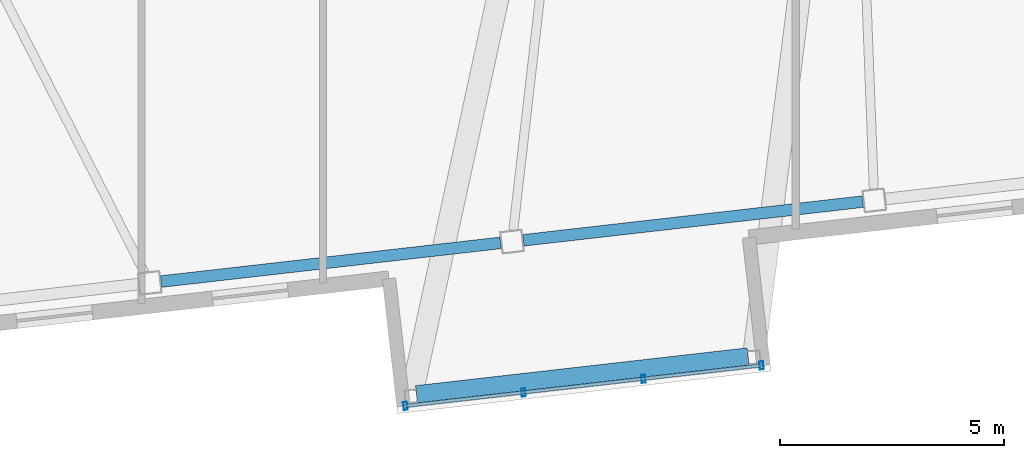
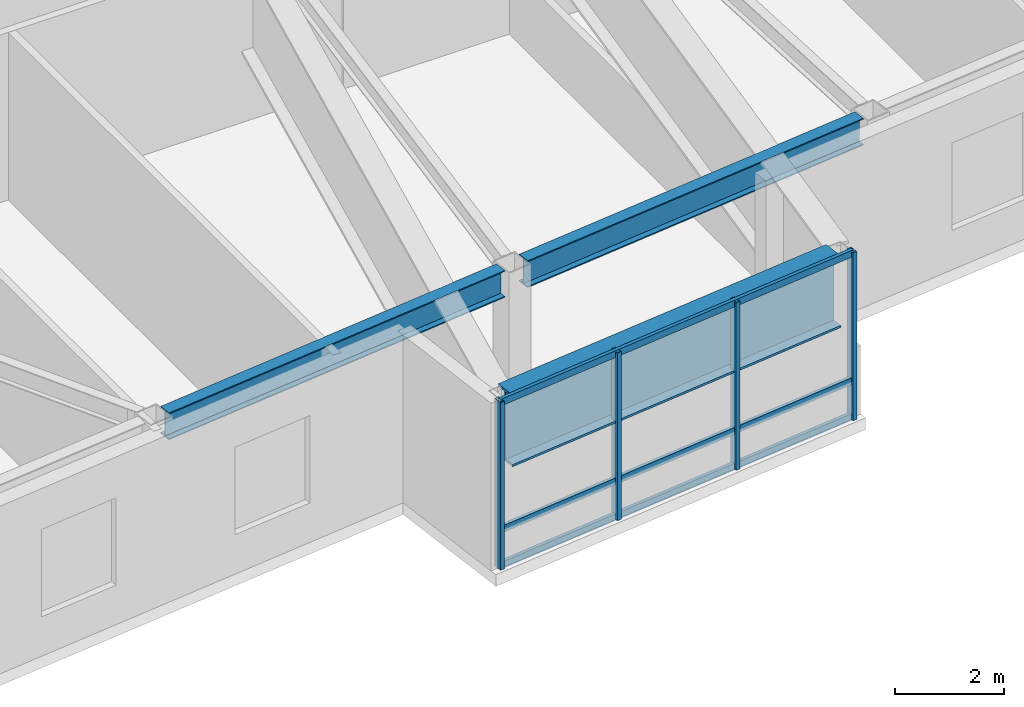
# One storey, part 5 of 19: 7 members, 3 beams, 1 element without a shape of its own.
"""IFC4 building model written with IfcOpenShell, lengths in metres."""

from ifc_helpers import new_model, si_unit, direction, frame, origin, origin_2d, place, context, subcontext, project, spatial, hollow_rectangle, i_section, extrude, material, layer, layer_set, material_profile, profile_set, type_object, element, aggregate, save


model = new_model("IFC4")

# Units and contexts
model_context = context("Model", 3, precision=1e-05, world=origin(), true_north=direction((0.0, 1.0)))
body_context = subcontext(model_context, "Body", "Model", "MODEL_VIEW")
ifc_project = project(units=[si_unit("LENGTHUNIT", "METRE"), si_unit("AREAUNIT", "SQUARE_METRE"), si_unit("VOLUMEUNIT", "CUBIC_METRE"), si_unit("PLANEANGLEUNIT", "RADIAN"), si_unit("MASSUNIT", "GRAM", prefix="KILO")], contexts=[model_context])

# Site, building, storey
site_placement = place(None, origin())
site = spatial("IfcSite", under=ifc_project, at=site_placement, CompositionType="ELEMENT")
building_placement = place(site_placement, origin())
building = spatial("IfcBuilding", under=site, at=building_placement, Name="Tavrogorsk Clinical Tower", CompositionType="ELEMENT")
storey_placement = place(building_placement, frame((0.0, 0.0, 218.199951171875)))
storey = spatial("IfcBuildingStorey", under=building, at=storey_placement, Name="L50", CompositionType="ELEMENT", Elevation=218.199951171875)

# Curtain wall, members
ifc_material_1 = material(Name="Anodised aluminium and triple IGU glazing", Category="aluminium")
ifc_layer = layer(ifc_material_1, 0.179931640625)
ifc_layer_set = layer_set([ifc_layer], Name="Anodised aluminium and triple IGU glazing")
curtain_wall_type = type_object("IfcCurtainWallType", Name="CW4_DayroomBox", PredefinedType="NOTDEFINED", material=ifc_layer_set)
curtain_wall_placement = place(storey_placement, origin())
curtain_wall = element("IfcCurtainWall", 1, at=curtain_wall_placement, inside=storey, type_object=curtain_wall_type, Name="L50 Curtain Wall CW-DRB-07-L50", PredefinedType="NOTDEFINED")
ifc_material_2 = material(Name="Anodised aluminium alloy AW-6060", Category="aluminium")
ifc_material_profile_1 = material_profile(ifc_material_2, hollow_rectangle(XDim=0.090087890625, YDim=0.179931640625, WallThickness=0.00634765625, at=origin_2d()), Name="RHS-180x90x6.3")
ifc_profile_set_1 = profile_set([ifc_material_profile_1], Name="Anodised aluminium alloy AW-6060")
member_type_1 = type_object("IfcMemberType", Name="CwMullion_180x90", PredefinedType="MULLION", material=ifc_profile_set_1)
member_1_placement = place(storey_placement, frame((-14.35400390625, -24.630859375, 0.0), z_axis=(0.0, 0.0, 1.0), x_axis=(0.993571856066, 0.113203210352, 0.0)))
member_1 = element("IfcMember", 2, at=member_1_placement, type_object=member_type_1, Name="CW-DRB-07-L50 Mullion 1", PredefinedType="MULLION", context=body_context, shape_type="SweptSolid", body=[
    extrude(hollow_rectangle(XDim=0.090087890625, YDim=0.179931640625, WallThickness=0.00634765625, at=origin_2d()), origin(), (0.0, 0.0, 1.0), 3.739990234375),
])
member_2_placement = place(storey_placement, frame((-11.716064453125, -24.330322265625, 0.0), z_axis=(0.0, 0.0, 1.0), x_axis=(0.993571856066, 0.113203210352, 0.0)))
member_2 = element("IfcMember", 3, at=member_2_placement, type_object=member_type_1, Name="CW-DRB-07-L50 Mullion 2", PredefinedType="MULLION", context=body_context, shape_type="SweptSolid", body=[
    extrude(hollow_rectangle(XDim=0.090087890625, YDim=0.179931640625, WallThickness=0.00634765625, at=origin_2d()), origin(), (0.0, 0.0, 1.0), 3.739990234375),
])
member_3_placement = place(storey_placement, frame((-9.033447265625, -24.024658203125, 0.0), z_axis=(0.0, 0.0, 1.0), x_axis=(0.993571856066, 0.113203210352, 0.0)))
member_3 = element("IfcMember", 4, at=member_3_placement, type_object=member_type_1, Name="CW-DRB-07-L50 Mullion 3", PredefinedType="MULLION", context=body_context, shape_type="SweptSolid", body=[
    extrude(hollow_rectangle(XDim=0.090087890625, YDim=0.179931640625, WallThickness=0.00634765625, at=origin_2d()), origin(), (0.0, 0.0, 1.0), 3.739990234375),
])
member_4_placement = place(storey_placement, frame((-6.3955078125, -23.72412109375, 0.0), z_axis=(0.0, 0.0, 1.0), x_axis=(0.993571856066, 0.113203210352, 0.0)))
member_4 = element("IfcMember", 5, at=member_4_placement, type_object=member_type_1, Name="CW-DRB-07-L50 Mullion 4", PredefinedType="MULLION", context=body_context, shape_type="SweptSolid", body=[
    extrude(hollow_rectangle(XDim=0.090087890625, YDim=0.179931640625, WallThickness=0.00634765625, at=origin_2d()), origin(), (0.0, 0.0, 1.0), 3.739990234375),
])
ifc_material_3 = material(Name="Anodised aluminium alloy AW-6060", Category="aluminium")
ifc_material_profile_2 = material_profile(ifc_material_3, hollow_rectangle(XDim=0.074951171875, YDim=0.14990234375, WallThickness=0.0048828125, at=origin_2d()), Name="RHS-150x75x5")
ifc_profile_set_2 = profile_set([ifc_material_profile_2], Name="Anodised aluminium alloy AW-6060")
member_type_2 = type_object("IfcMemberType", Name="CwTransom_150x75", PredefinedType="USERDEFINED", material=ifc_profile_set_2)
member_5_placement = place(storey_placement, frame((-14.35400390625, -24.630859375, 0.050048828125), z_axis=(0.993572105794, 0.113201018496, 0.0), x_axis=(-0.113201018496, 0.993572105794, 0.0)))
member_5 = element("IfcMember", 6, at=member_5_placement, type_object=member_type_2, Name="CW-DRB-07-L50 Transom 1", ObjectType="TRANSOM", PredefinedType="USERDEFINED", context=body_context, shape_type="SweptSolid", body=[
    extrude(hollow_rectangle(XDim=0.074951171875, YDim=0.14990234375, WallThickness=0.0048828125, at=origin_2d()), origin(), (0.0, 0.0, 1.0), 8.010009765625),
])
member_6_placement = place(storey_placement, frame((-14.35400390625, -24.630859375, 0.85009765625), z_axis=(0.993572105794, 0.113201018496, 0.0), x_axis=(-0.113201018496, 0.993572105794, 0.0)))
member_6 = element("IfcMember", 7, at=member_6_placement, type_object=member_type_2, Name="CW-DRB-07-L50 Transom 2", ObjectType="TRANSOM", PredefinedType="USERDEFINED", context=body_context, shape_type="SweptSolid", body=[
    extrude(hollow_rectangle(XDim=0.074951171875, YDim=0.14990234375, WallThickness=0.0048828125, at=origin_2d()), origin(), (0.0, 0.0, 1.0), 8.010009765625),
])
member_7_placement = place(storey_placement, frame((-14.35400390625, -24.630859375, 3.68994140625), z_axis=(0.993572105794, 0.113201018496, 0.0), x_axis=(-0.113201018496, 0.993572105794, 0.0)))
member_7 = element("IfcMember", 8, at=member_7_placement, type_object=member_type_2, Name="CW-DRB-07-L50 Transom 3", ObjectType="TRANSOM", PredefinedType="USERDEFINED", context=body_context, shape_type="SweptSolid", body=[
    extrude(hollow_rectangle(XDim=0.074951171875, YDim=0.14990234375, WallThickness=0.0048828125, at=origin_2d()), origin(), (0.0, 0.0, 1.0), 8.010009765625),
])
aggregate(curtain_wall, [member_1, member_2, member_3, member_4, member_5, member_6, member_7])

# Beams
ifc_material_4 = material(Name="Structural steel S390", Category="steel")
ifc_material_profile_3 = material_profile(ifc_material_4, i_section(OverallWidth=0.260009765625, OverallDepth=0.60009765625, WebThickness=0.014892578125, FlangeThickness=0.02392578125, at=origin_2d()), Name="B-600x260x15x24")
ifc_profile_set_3 = profile_set([ifc_material_profile_3], Name="Structural steel S390")
beam_type_1 = type_object("IfcBeamType", Name="SpandrelBeam_B600", PredefinedType="SPANDREL", material=ifc_profile_set_3)
beam_1_placement = place(storey_placement, frame((-19.812255859375, -21.850830078125, 3.43994140625), z_axis=(0.993572099834, 0.113201070804, 0.0), x_axis=(-0.113201070804, 0.993572099834, 0.0)))
element("IfcBeam", 9, at=beam_1_placement, inside=storey, type_object=beam_type_1, Name="L50 Perimeter Spandrel S2-S3", PredefinedType="SPANDREL", context=body_context, shape_type="SweptSolid", body=[
    extrude(i_section(OverallWidth=0.260009765625, OverallDepth=0.60009765625, WebThickness=0.014892578125, FlangeThickness=0.02392578125, at=origin_2d()), origin(), (0.0, 0.0, 1.0), 7.632568359375),
])
beam_2_placement = place(storey_placement, frame((-11.716064453125, -20.928466796875, 3.43994140625), z_axis=(0.993572509708, 0.113197473259, 0.0), x_axis=(-0.113197473259, 0.993572509708, 0.0)))
element("IfcBeam", 10, at=beam_2_placement, inside=storey, type_object=beam_type_1, Name="L50 Perimeter Spandrel S3-S4", PredefinedType="SPANDREL", context=body_context, shape_type="SweptSolid", body=[
    extrude(i_section(OverallWidth=0.260009765625, OverallDepth=0.60009765625, WebThickness=0.014892578125, FlangeThickness=0.02392578125, at=origin_2d()), origin(), (0.0, 0.0, 1.0), 7.6328125),
])
ifc_material_5 = material(Name="Structural steel S440", Category="steel")
ifc_material_profile_4 = material_profile(ifc_material_5, i_section(OverallWidth=0.449951171875, OverallDepth=1.60009765625, WebThickness=0.031982421875, FlangeThickness=0.050048828125, at=origin_2d()), Name="DK-1600x450x32x50")
ifc_profile_set_4 = profile_set([ifc_material_profile_4], Name="Structural steel S440")
beam_type_2 = type_object("IfcBeamType", Name="TransferGirder_DK1600", PredefinedType="USERDEFINED", material=ifc_profile_set_4)
beam_3_placement = place(storey_placement, frame((-14.103271484375, -24.40087890625, 2.93994140625), z_axis=(0.993571749414, 0.113204146422, 0.0), x_axis=(-0.113204146422, 0.993571749414, 0.0)))
element("IfcBeam", 11, at=beam_3_placement, inside=storey, type_object=beam_type_2, Name="L50 Day-Room Front Edge Beam DRB-07", ObjectType="GIRDER", PredefinedType="USERDEFINED", context=body_context, shape_type="SweptSolid", body=[
    extrude(i_section(OverallWidth=0.449951171875, OverallDepth=1.60009765625, WebThickness=0.031982421875, FlangeThickness=0.050048828125, at=origin_2d()), origin(), (0.0, 0.0, 1.0), 7.459716796875),
])

save(model, "model.ifc")
